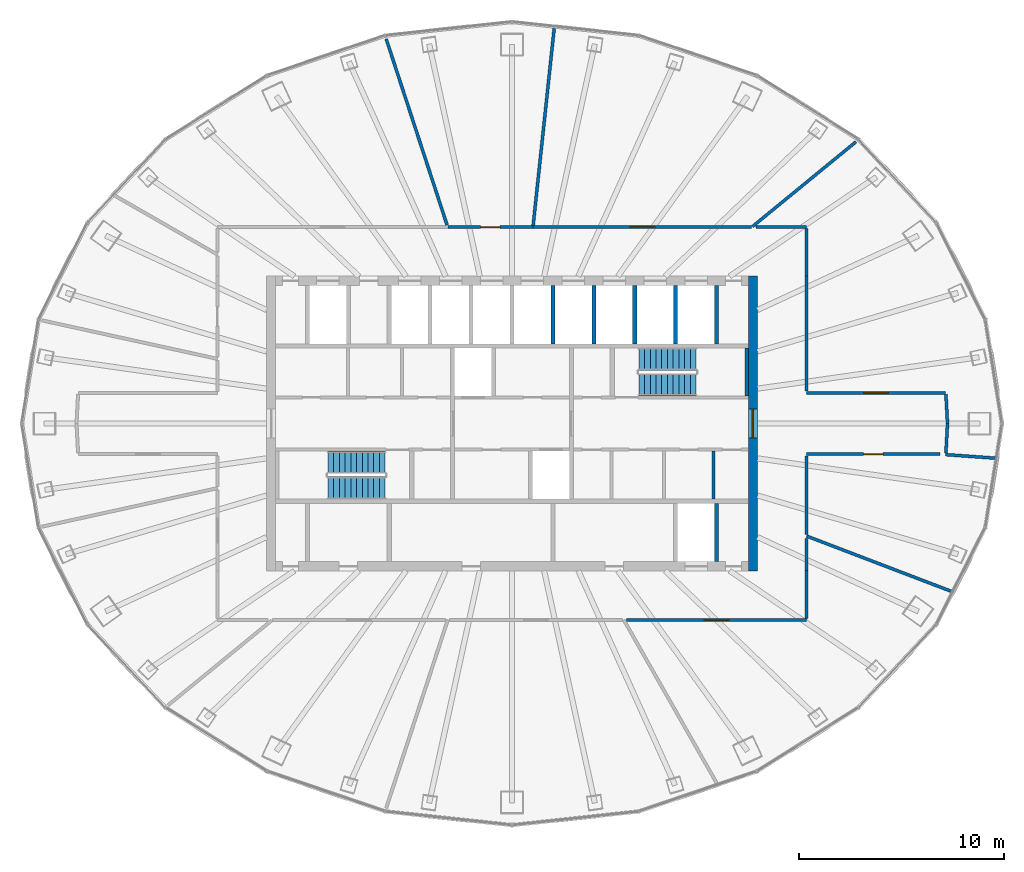
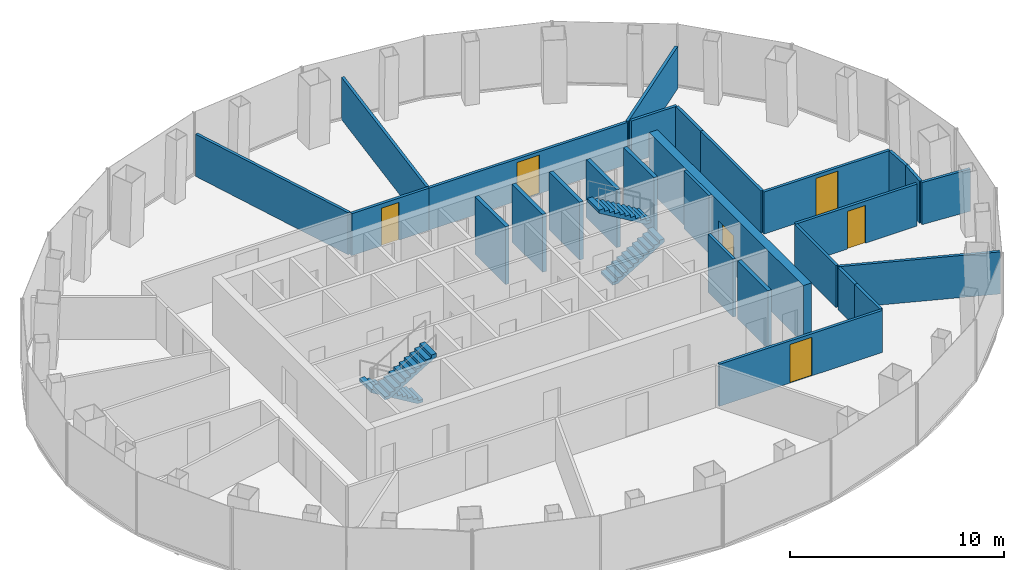
# One storey, part 9 of 10: 27 walls, 6 doors, 4 stair flights, 6 openings, 2 elements without a shape of their own.
"""IFC4 building model written with IfcOpenShell, lengths in metres."""

from ifc_helpers import new_model, si_unit, direction, frame, frame_2d, origin, place, context, subcontext, project, spatial, polyline, rectangle, outline, extrude, material, layer, layer_set, type_object, element, fill, aggregate, save


model = new_model("IFC4")

# Units and contexts
model_context = context("Model", 3, precision=1e-05, world=origin(), true_north=direction((0.0, 1.0)))
body_context = subcontext(model_context, "Body", "Model", "MODEL_VIEW")
ifc_project = project(units=[si_unit("LENGTHUNIT", "METRE"), si_unit("AREAUNIT", "SQUARE_METRE"), si_unit("VOLUMEUNIT", "CUBIC_METRE"), si_unit("PLANEANGLEUNIT", "RADIAN"), si_unit("MASSUNIT", "GRAM", prefix="KILO")], contexts=[model_context])

# Site, building, storey
site_placement = place(None, origin())
site = spatial("IfcSite", under=ifc_project, at=site_placement, CompositionType="ELEMENT")
building_placement = place(site_placement, origin())
building = spatial("IfcBuilding", under=site, at=building_placement, Name="Siaravel Broadcast Tower", CompositionType="ELEMENT")
storey_placement = place(building_placement, frame((0.0, 0.0, 160.800048828125)))
storey = spatial("IfcBuildingStorey", under=building, at=storey_placement, Name="L38", CompositionType="ELEMENT", Elevation=160.800048828125)

# Wall
ifc_material_1 = material(Name="Concrete blockwork", Category="masonry")
ifc_layer_1 = layer(ifc_material_1, 0.14990234375)
ifc_layer_set_1 = layer_set([ifc_layer_1], Name="Concrete blockwork")
wall_type_1 = type_object("IfcWallType", Name="Core partition 150", PredefinedType="PARTITIONING", material=ifc_layer_set_1)
wall_1_placement = place(storey_placement, frame((9.85498046875, -3.699951171875, 0.0), z_axis=(0.0, 0.0, 1.0), x_axis=(0.0, 1.0, 0.0)))
element("IfcWall", 1, at=wall_1_placement, inside=storey, type_object=wall_type_1, Name="L38 core partition PSE2", PredefinedType="PARTITIONING", context=body_context, shape_type="SweptSolid", body=[
    extrude(rectangle(XDim=2.349853515625, YDim=0.14990234375, at=frame_2d((1.1748046875, 0.0))), origin(), (0.0, 0.0, 1.0), 3.300048828125),
])

# Wall, opening, door
ifc_material_2 = material(Name="Concrete C60/75", Category="concrete")
ifc_layer_2 = layer(ifc_material_2, 0.449951171875)
ifc_layer_set_2 = layer_set([ifc_layer_2], Name="Concrete C60/75")
wall_type_2 = type_object("IfcWallType", Name="Core wall 450", PredefinedType="SHEAR", material=ifc_layer_set_2)
wall_2_placement = place(storey_placement, frame((11.77490234375, -7.199951171875, 0.0), z_axis=(0.0, 0.0, 1.0), x_axis=(0.0, 1.0, 0.0)))
wall_2 = element("IfcWall", 2, at=wall_2_placement, inside=storey, type_object=wall_type_2, Name="L38 core wall OE", PredefinedType="SHEAR", context=body_context, shape_type="SweptSolid", body=[
    extrude(rectangle(XDim=14.39990234375, YDim=0.449951171875, at=frame_2d((7.199951171875, 0.0))), origin(), (0.0, 0.0, 1.0), 3.300048828125),
])
opening_1_placement = place(wall_2_placement, frame((6.5, 0.0, 0.0)))
opening_1 = element("IfcOpeningElement", 3, at=opening_1_placement, cuts=wall_2, Name="Opening L38-DX-E", PredefinedType="OPENING", context=body_context, shape_type="SweptSolid", body=[
    extrude(rectangle(XDim=1.39990234375, YDim=2.199951171875, at=frame_2d((0.699951171875, 1.10009765625))), frame((0.0, 0.23486328125, 0.0), z_axis=(0.0, -1.0, 0.0), x_axis=(1.0, 0.0, 0.0)), (0.0, 0.0, 1.0), 0.469970703125),
])
ifc_material_3 = material(Name="Steel", Category="steel")
door_type_1 = type_object("IfcDoorType", Name="Core exit door 1400", OperationType="DOUBLE_DOOR_SINGLE_SWING", PredefinedType="DOOR", material=ifc_material_3)
door_1_placement = place(opening_1_placement, origin())
door_1 = element("IfcDoor", 4, at=door_1_placement, inside=storey, type_object=door_type_1, Name="L38 door DX-E", OperationType="DOUBLE_DOOR_SINGLE_SWING", OverallHeight=2.199951171875, OverallWidth=1.39990234375, PredefinedType="DOOR", context=body_context, shape_type="SweptSolid", body=[
    extrude(rectangle(XDim=1.39990234375, YDim=2.199951171875, at=frame_2d((0.699951171875, 1.10009765625))), frame((0.0, 0.02490234375, 0.0), z_axis=(0.0, -1.0, 0.0), x_axis=(1.0, 0.0, 0.0)), (0.0, 0.0, 1.0), 0.050048828125),
])
fill(opening_1, door_1)

ifc_material_4 = material(Name="Gypsum board partition", Category="gypsum")
ifc_layer_3 = layer(ifc_material_4, 0.14990234375)
ifc_layer_set_3 = layer_set([ifc_layer_3], Name="Gypsum board partition")
wall_type_3 = type_object("IfcWallType", Name="Corridor wall 150", PredefinedType="PARTITIONING", material=ifc_layer_set_3)
wall_3_placement = place(storey_placement, frame((11.719970703125, 9.60009765625, 0.0), z_axis=(0.0, 0.0, 1.0), x_axis=(-1.0, 0.0, 0.0)))
wall_3 = element("IfcWall", 5, at=wall_3_placement, inside=storey, type_object=wall_type_3, Name="L38 partition 2", PredefinedType="PARTITIONING", context=body_context, shape_type="SweptSolid", body=[
    extrude(rectangle(XDim=10.694580078125, YDim=0.14990234375, at=frame_2d((5.34716796875, 0.0))), origin(), (0.0, 0.0, 1.0), 2.39990234375),
])
opening_2_placement = place(wall_3_placement, frame((4.747314453125, 0.0, 0.0)))
opening_2 = element("IfcOpeningElement", 6, at=opening_2_placement, cuts=wall_3, Name="Opening L38-002", PredefinedType="OPENING", context=body_context, shape_type="SweptSolid", body=[
    extrude(rectangle(XDim=1.199951171875, YDim=2.199951171875, at=frame_2d((0.60009765625, 1.10009765625))), frame((0.0, 0.0849609375, 0.0), z_axis=(0.0, -1.0, 0.0), x_axis=(1.0, 0.0, 0.0)), (0.0, 0.0, 1.0), 0.169921875),
])
ifc_material_5 = material(Name="Timber veneer", Category="wood")
door_type_2 = type_object("IfcDoorType", Name="Office double door 1200", OperationType="DOUBLE_DOOR_SINGLE_SWING", PredefinedType="DOOR", material=ifc_material_5)
door_2_placement = place(opening_2_placement, origin())
door_2 = element("IfcDoor", 7, at=door_2_placement, inside=storey, type_object=door_type_2, Name="L38 door to Open plan office", OperationType="DOUBLE_DOOR_SINGLE_SWING", OverallHeight=2.199951171875, OverallWidth=1.199951171875, PredefinedType="DOOR", context=body_context, shape_type="SweptSolid", body=[
    extrude(rectangle(XDim=1.199951171875, YDim=2.199951171875, at=frame_2d((0.60009765625, 1.10009765625))), frame((0.0, 0.02490234375, 0.0), z_axis=(0.0, -1.0, 0.0), x_axis=(1.0, 0.0, 0.0)), (0.0, 0.0, 1.0), 0.050048828125),
])
fill(opening_2, door_2)

wall_4_placement = place(storey_placement, frame((5.59619140625, -9.60009765625, 0.0), z_axis=(0.0, 0.0, 1.0), x_axis=(1.0, 0.0, 0.0)))
wall_4 = element("IfcWall", 8, at=wall_4_placement, inside=storey, type_object=wall_type_3, Name="L38 partition 7", PredefinedType="PARTITIONING", context=body_context, shape_type="SweptSolid", body=[
    extrude(rectangle(XDim=8.8037109375, YDim=0.14990234375, at=frame_2d((4.40185546875, 0.0))), origin(), (0.0, 0.0, 1.0), 2.39990234375),
])
opening_3_placement = place(wall_4_placement, frame((3.802001953125, 0.0, 0.0)))
opening_3 = element("IfcOpeningElement", 9, at=opening_3_placement, cuts=wall_4, Name="Opening L38-010", PredefinedType="OPENING", context=body_context, shape_type="SweptSolid", body=[
    extrude(rectangle(XDim=1.199951171875, YDim=2.199951171875, at=frame_2d((0.60009765625, 1.10009765625))), frame((0.0, 0.0849609375, 0.0), z_axis=(0.0, -1.0, 0.0), x_axis=(1.0, 0.0, 0.0)), (0.0, 0.0, 1.0), 0.169921875),
])
door_3_placement = place(opening_3_placement, origin())
door_3 = element("IfcDoor", 10, at=door_3_placement, inside=storey, type_object=door_type_2, Name="L38 door to Open plan office", OperationType="DOUBLE_DOOR_SINGLE_SWING", OverallHeight=2.199951171875, OverallWidth=1.199951171875, PredefinedType="DOOR", context=body_context, shape_type="SweptSolid", body=[
    extrude(rectangle(XDim=1.199951171875, YDim=2.199951171875, at=frame_2d((0.60009765625, 1.10009765625))), frame((0.0, 0.02490234375, 0.0), z_axis=(0.0, -1.0, 0.0), x_axis=(1.0, 0.0, 0.0)), (0.0, 0.0, 1.0), 0.050048828125),
])
fill(opening_3, door_3)

wall_5_placement = place(storey_placement, frame((21.20166015625, 1.5, 0.0), z_axis=(0.0, 0.0, 1.0), x_axis=(-0.999999948, 0.000323148, 0.0)))
wall_5 = element("IfcWall", 11, at=wall_5_placement, inside=storey, type_object=wall_type_3, Name="L38 partition 15", PredefinedType="PARTITIONING", context=body_context, shape_type="SweptSolid", body=[
    extrude(rectangle(XDim=6.799560546875, YDim=0.14990234375, at=frame_2d((3.39990234375, 0.0))), origin(), (0.0, 0.0, 1.0), 2.39990234375),
])
opening_4_placement = place(wall_5_placement, frame((2.7998046875, 0.0, 0.0)))
opening_4 = element("IfcOpeningElement", 12, at=opening_4_placement, cuts=wall_5, Name="Opening L38-001", PredefinedType="OPENING", context=body_context, shape_type="SweptSolid", body=[
    extrude(rectangle(XDim=1.199951171875, YDim=2.199951171875, at=frame_2d((0.60009765625, 1.10009765625))), frame((0.0, 0.0849609375, 0.0), z_axis=(0.0, -1.0, 0.0), x_axis=(1.0, 0.0, 0.0)), (0.0, 0.0, 1.0), 0.169921875),
])
door_4_placement = place(opening_4_placement, origin())
door_4 = element("IfcDoor", 13, at=door_4_placement, inside=storey, type_object=door_type_2, Name="L38 door to Open plan office", OperationType="DOUBLE_DOOR_SINGLE_SWING", OverallHeight=2.199951171875, OverallWidth=1.199951171875, PredefinedType="DOOR", context=body_context, shape_type="SweptSolid", body=[
    extrude(rectangle(XDim=1.199951171875, YDim=2.199951171875, at=frame_2d((0.60009765625, 1.10009765625))), frame((0.0, 0.02490234375, 0.0), z_axis=(0.0, -1.0, 0.0), x_axis=(1.0, 0.0, 0.0)), (0.0, 0.0, 1.0), 0.050048828125),
])
fill(opening_4, door_4)

wall_6_placement = place(storey_placement, frame((14.39990234375, -1.5, 0.0), z_axis=(0.0, 0.0, 1.0), x_axis=(1.0, 0.0, 0.0)))
wall_6 = element("IfcWall", 14, at=wall_6_placement, inside=storey, type_object=wall_type_3, Name="L38 partition 18", PredefinedType="PARTITIONING", context=body_context, shape_type="SweptSolid", body=[
    extrude(rectangle(XDim=6.531982421875, YDim=0.14990234375, at=frame_2d((3.26611328125, 0.0))), origin(), (0.0, 0.0, 1.0), 2.39990234375),
])
opening_5_placement = place(wall_6_placement, frame((2.791015625, 0.0, 0.0)))
opening_5 = element("IfcOpeningElement", 15, at=opening_5_placement, cuts=wall_6, Name="Opening L38-011", PredefinedType="OPENING", context=body_context, shape_type="SweptSolid", body=[
    extrude(rectangle(XDim=0.949951171875, YDim=2.14990234375, at=frame_2d((0.47509765625, 1.074951171875))), frame((0.0, 0.0849609375, 0.0), z_axis=(0.0, -1.0, 0.0), x_axis=(1.0, 0.0, 0.0)), (0.0, 0.0, 1.0), 0.169921875),
])
door_type_3 = type_object("IfcDoorType", Name="Office door 950", OperationType="SINGLE_SWING_LEFT", PredefinedType="DOOR", material=ifc_material_5)
door_5_placement = place(opening_5_placement, origin())
door_5 = element("IfcDoor", 16, at=door_5_placement, inside=storey, type_object=door_type_3, Name="L38 door to Office", OperationType="SINGLE_SWING_LEFT", OverallHeight=2.14990234375, OverallWidth=0.949951171875, PredefinedType="DOOR", context=body_context, shape_type="SweptSolid", body=[
    extrude(rectangle(XDim=0.949951171875, YDim=2.14990234375, at=frame_2d((0.47509765625, 1.074951171875))), frame((0.0, 0.02490234375, 0.0), z_axis=(0.0, -1.0, 0.0), x_axis=(1.0, 0.0, 0.0)), (0.0, 0.0, 1.0), 0.050048828125),
])
fill(opening_5, door_5)

# Wall
wall_7_placement = place(storey_placement, frame((14.402099609375, 1.5791015625, 0.0), z_axis=(0.0, 0.0, 1.0), x_axis=(0.0, 1.0, 0.0)))
element("IfcWall", 17, at=wall_7_placement, inside=storey, type_object=wall_type_3, Name="L38 partition 20", PredefinedType="PARTITIONING", context=body_context, shape_type="SweptSolid", body=[
    extrude(rectangle(XDim=5.6328125, YDim=0.14990234375, at=frame_2d((2.81640625, 0.0))), origin(), (0.0, 0.0, 1.0), 2.39990234375),
])

# Wall, opening, door
wall_8_placement = place(storey_placement, frame((1.025390625, 9.60009765625, 0.0), z_axis=(0.0, 0.0, 1.0), x_axis=(-1.0, 0.0, 0.0)))
wall_8 = element("IfcWall", 18, at=wall_8_placement, inside=storey, type_object=wall_type_3, Name="L38 partition 21", PredefinedType="PARTITIONING", context=body_context, shape_type="SweptSolid", body=[
    extrude(rectangle(XDim=4.164794921875, YDim=0.14990234375, at=frame_2d((2.08251953125, 0.0))), origin(), (0.0, 0.0, 1.0), 2.39990234375),
])
opening_6_placement = place(wall_8_placement, frame((1.607421875, 0.0, 0.0)))
opening_6 = element("IfcOpeningElement", 19, at=opening_6_placement, cuts=wall_8, Name="Opening L38-003", PredefinedType="OPENING", context=body_context, shape_type="SweptSolid", body=[
    extrude(rectangle(XDim=0.949951171875, YDim=2.14990234375, at=frame_2d((0.47509765625, 1.074951171875))), frame((0.0, 0.0849609375, 0.0), z_axis=(0.0, -1.0, 0.0), x_axis=(1.0, 0.0, 0.0)), (0.0, 0.0, 1.0), 0.169921875),
])
door_6_placement = place(opening_6_placement, origin())
door_6 = element("IfcDoor", 20, at=door_6_placement, inside=storey, type_object=door_type_3, Name="L38 door to Reception", OperationType="SINGLE_SWING_LEFT", OverallHeight=2.14990234375, OverallWidth=0.949951171875, PredefinedType="DOOR", context=body_context, shape_type="SweptSolid", body=[
    extrude(rectangle(XDim=0.949951171875, YDim=2.14990234375, at=frame_2d((0.47509765625, 1.074951171875))), frame((0.0, 0.02490234375, 0.0), z_axis=(0.0, -1.0, 0.0), x_axis=(1.0, 0.0, 0.0)), (0.0, 0.0, 1.0), 0.050048828125),
])
fill(opening_6, door_6)

# Walls
wall_9_placement = place(storey_placement, frame((14.39990234375, -5.42822265625, 0.0), z_axis=(0.0, 0.0, 1.0), x_axis=(0.0, 1.0, 0.0)))
element("IfcWall", 21, at=wall_9_placement, inside=storey, type_object=wall_type_3, Name="L38 partition 24", PredefinedType="PARTITIONING", context=body_context, shape_type="SweptSolid", body=[
    extrude(rectangle(XDim=3.851318359375, YDim=0.14990234375, at=frame_2d((1.92578125, 0.0))), origin(), (0.0, 0.0, 1.0), 2.39990234375),
])
wall_10_placement = place(storey_placement, frame((14.402099609375, 9.60205078125, 0.0), z_axis=(0.0, 0.0, 1.0), x_axis=(-1.0, 0.0, 0.0)))
element("IfcWall", 22, at=wall_10_placement, inside=storey, type_object=wall_type_3, Name="L38 partition 26", PredefinedType="PARTITIONING", context=body_context, shape_type="SweptSolid", body=[
    extrude(rectangle(XDim=2.4677734375, YDim=0.14990234375, at=frame_2d((1.23388671875, 0.0))), origin(), (0.0, 0.0, 1.0), 2.39990234375),
])
wall_11_placement = place(storey_placement, frame((14.402099609375, 7.212890625, 0.0), z_axis=(0.0, 0.0, 1.0), x_axis=(0.0, 1.0, 0.0)))
element("IfcWall", 23, at=wall_11_placement, inside=storey, type_object=wall_type_3, Name="L38 partition 28", PredefinedType="PARTITIONING", context=body_context, shape_type="SweptSolid", body=[
    extrude(rectangle(XDim=2.31201171875, YDim=0.14990234375, at=frame_2d((1.156005859375, 0.0))), origin(), (0.0, 0.0, 1.0), 2.39990234375),
])
wall_12_placement = place(storey_placement, frame((14.39990234375, -9.52294921875, 0.0), z_axis=(0.0, 0.0, 1.0), x_axis=(0.0, 1.0, 0.0)))
element("IfcWall", 24, at=wall_12_placement, inside=storey, type_object=wall_type_3, Name="L38 partition 30", PredefinedType="PARTITIONING", context=body_context, shape_type="SweptSolid", body=[
    extrude(rectangle(XDim=2.3349609375, YDim=0.14990234375, at=frame_2d((1.16748046875, 0.0))), origin(), (0.0, 0.0, 1.0), 2.39990234375),
])
wall_13_placement = place(storey_placement, frame((14.39990234375, -7.18701171875, 0.0), z_axis=(0.0, 0.0, 1.0), x_axis=(0.0, 1.0, 0.0)))
element("IfcWall", 25, at=wall_13_placement, inside=storey, type_object=wall_type_3, Name="L38 partition 31", PredefinedType="PARTITIONING", context=body_context, shape_type="SweptSolid", body=[
    extrude(rectangle(XDim=1.575927734375, YDim=0.14990234375, at=frame_2d((0.7880859375, 0.0))), origin(), (0.0, 0.0, 1.0), 2.39990234375),
])
wall_14_placement = place(storey_placement, frame((21.21240234375, -1.442626953125, 0.0), z_axis=(0.0, 0.0, 1.0), x_axis=(0.053232927, 0.998582123, 0.0)))
element("IfcWall", 26, at=wall_14_placement, inside=storey, type_object=wall_type_3, Name="L38 partition 34", PredefinedType="PARTITIONING", context=body_context, shape_type="SweptSolid", body=[
    extrude(rectangle(XDim=1.444580078125, YDim=0.14990234375, at=frame_2d((0.72216796875, 0.0))), origin(), (0.0, 0.0, 1.0), 2.39990234375),
])
wall_15_placement = place(storey_placement, frame((21.288818359375, 0.010009765625, 0.0), z_axis=(0.0, 0.0, 1.0), x_axis=(-0.053271351, 0.998580073, 0.0)))
element("IfcWall", 27, at=wall_15_placement, inside=storey, type_object=wall_type_3, Name="L38 partition 37", PredefinedType="PARTITIONING", context=body_context, shape_type="SweptSolid", body=[
    extrude(rectangle(XDim=1.420654296875, YDim=0.14990234375, at=frame_2d((0.71044921875, 0.0))), origin(), (0.0, 0.0, 1.0), 2.39990234375),
])
ifc_layer_4 = layer(ifc_material_4, 0.14990234375)
ifc_layer_set_4 = layer_set([ifc_layer_4], Name="Gypsum board partition")
wall_type_4 = type_object("IfcWallType", Name="Room partition 150", PredefinedType="PARTITIONING", material=ifc_layer_set_4)
wall_16_placement = place(storey_placement, frame((2.0712890625, 19.393310546875, 0.0), z_axis=(0.0, 0.0, 1.0), x_axis=(-0.106198491, -0.99434495, 0.0)))
element("IfcWall", 28, at=wall_16_placement, inside=storey, type_object=wall_type_4, Name="L38 partition 3", PredefinedType="PARTITIONING", context=body_context, shape_type="SweptSolid", body=[
    extrude(rectangle(XDim=9.763427734375, YDim=0.14990234375, at=frame_2d((4.8818359375, 0.0))), origin(), (0.0, 0.0, 1.0), 2.39990234375),
])
wall_17_placement = place(storey_placement, frame((-6.151611328125, 18.8056640625, 0.0), z_axis=(0.0, 0.0, 1.0), x_axis=(0.310901784, -0.950442045, 0.0)))
element("IfcWall", 29, at=wall_17_placement, inside=storey, type_object=wall_type_4, Name="L38 partition 4", PredefinedType="PARTITIONING", context=body_context, shape_type="SweptSolid", body=[
    extrude(rectangle(XDim=9.580322265625, YDim=0.14990234375, at=frame_2d((4.7900390625, 0.0))), origin(), (0.0, 0.0, 1.0), 2.39990234375),
])
wall_18_placement = place(storey_placement, frame((21.559814453125, -8.235107421875, 0.0), z_axis=(0.0, 0.0, 1.0), x_axis=(-0.93417148, 0.356824391, 0.0)))
element("IfcWall", 30, at=wall_18_placement, inside=storey, type_object=wall_type_4, Name="L38 partition 12", PredefinedType="PARTITIONING", context=body_context, shape_type="SweptSolid", body=[
    extrude(rectangle(XDim=7.66455078125, YDim=0.14990234375, at=frame_2d((3.832275390625, 0.0))), origin(), (0.0, 0.0, 1.0), 2.39990234375),
])
wall_19_placement = place(storey_placement, frame((16.8134765625, 13.772216796875, 0.0), z_axis=(0.0, 0.0, 1.0), x_axis=(-0.773595956, -0.633679175, 0.0)))
element("IfcWall", 31, at=wall_19_placement, inside=storey, type_object=wall_type_4, Name="L38 partition 17", PredefinedType="PARTITIONING", context=body_context, shape_type="SweptSolid", body=[
    extrude(rectangle(XDim=6.53466796875, YDim=0.14990234375, at=frame_2d((3.267333984375, 0.0))), origin(), (0.0, 0.0, 1.0), 2.39990234375),
])
wall_20_placement = place(storey_placement, frame((21.1962890625, -1.51904296875, 0.0), z_axis=(0.0, 0.0, 1.0), x_axis=(0.997445362, -0.071433532, 0.0)))
element("IfcWall", 32, at=wall_20_placement, inside=storey, type_object=wall_type_4, Name="L38 partition 27", PredefinedType="PARTITIONING", context=body_context, shape_type="SweptSolid", body=[
    extrude(rectangle(XDim=2.511962890625, YDim=0.14990234375, at=frame_2d((1.255859375, 0.0))), origin(), (0.0, 0.0, 1.0), 2.39990234375),
])
ifc_layer_5 = layer(ifc_material_2, 0.14990234375)
ifc_layer_set_5 = layer_set([ifc_layer_5], Name="Concrete C60/75")
wall_type_5 = type_object("IfcWallType", Name="Shaft wall 150", PredefinedType="SHEAR", material=ifc_layer_set_5)
wall_21_placement = place(storey_placement, frame((11.47509765625, 1.35009765625, 0.0), z_axis=(0.0, 0.0, 1.0), x_axis=(0.0, 1.0, 0.0)))
element("IfcWall", 33, at=wall_21_placement, inside=storey, type_object=wall_type_5, Name="L38 core wall ST2E", PredefinedType="SHEAR", context=body_context, shape_type="SweptSolid", body=[
    extrude(rectangle(XDim=2.349853515625, YDim=0.14990234375, at=frame_2d((1.1748046875, 0.0))), origin(), (0.0, 0.0, 1.0), 3.300048828125),
])
ifc_layer_6 = layer(ifc_material_2, 0.199951171875)
ifc_layer_set_6 = layer_set([ifc_layer_6], Name="Concrete C60/75")
wall_type_6 = type_object("IfcWallType", Name="Shaft wall 200", PredefinedType="SHEAR", material=ifc_layer_set_6)
for number, where, z_axis, x_axis, name in (
    (34, (10.0, -6.75, 0.0), (0.0, 0.0, 1.0), (0.0, 1.0, 0.0), "L38 core wall SWS10"),
    (35, (2.0, 3.89990234375, 0.0), (0.0, 0.0, 1.0), (0.0, 1.0, 0.0), "L38 core wall SWN6"),
    (36, (4.0, 3.89990234375, 0.0), (0.0, 0.0, 1.0), (0.0, 1.0, 0.0), "L38 core wall SWN7"),
    (37, (6.0, 3.89990234375, 0.0), (0.0, 0.0, 1.0), (0.0, 1.0, 0.0), "L38 core wall SWN8"),
    (38, (8.0, 3.89990234375, 0.0), (0.0, 0.0, 1.0), (0.0, 1.0, 0.0), "L38 core wall SWN9"),
    (39, (10.0, 3.89990234375, 0.0), (0.0, 0.0, 1.0), (0.0, 1.0, 0.0), "L38 core wall SWN10"),
):
    element("IfcWall", number, at=place(storey_placement, frame(where, z_axis=z_axis, x_axis=x_axis)), inside=storey, type_object=wall_type_6, Name=name, PredefinedType="SHEAR", context=body_context, shape_type="SweptSolid", body=[
        extrude(rectangle(XDim=2.85009765625, YDim=0.199951171875, at=frame_2d((1.425048828125, 0.0))), origin(), (0.0, 0.0, 1.0), 3.300048828125),
    ])

# Stair, stair flights
ifc_material_6 = material(Name="Concrete C40/50", Category="concrete")
stair_type = type_object("IfcStairType", Name="Core exit stair", PredefinedType="HALF_TURN_STAIR", material=ifc_material_6)
stair_1_placement = place(storey_placement, origin())
stair_1 = element("IfcStair", 40, at=stair_1_placement, inside=storey, type_object=stair_type, Name="L38 Exit stair ST-1", PredefinedType="HALF_TURN_STAIR")
stair_flight_type = type_object("IfcStairFlightType", Name="Stair flight 1100", PredefinedType="STRAIGHT", material=ifc_material_6)
stair_flight_1_placement = place(storey_placement, frame((-6.199951171875, -1.89990234375, 0.0), z_axis=(0.0, 0.0, 1.0), x_axis=(-1.0, 0.0, 0.0)))
stair_flight_1 = element("IfcStairFlight", 41, at=stair_flight_1_placement, type_object=stair_flight_type, Name="ST-1 flight 1", NumberOfRisers=11, NumberOfTreads=10, PredefinedType="STRAIGHT", RiserHeight=0.1681818, TreadLength=0.28, context=body_context, shape_type="SweptSolid", body=[
    extrude(outline(polyline([(0.0, 0.0), (0.0, 0.168212890625), (0.280029296875, 0.168212890625), (0.280029296875, 0.33642578125), (0.56005859375, 0.33642578125), (0.56005859375, 0.504638671875), (0.840087890625, 0.504638671875), (0.840087890625, 0.672607421875), (1.1201171875, 0.672607421875), (1.1201171875, 0.8408203125), (1.39990234375, 0.8408203125), (1.39990234375, 1.009033203125), (1.679931640625, 1.009033203125), (1.679931640625, 1.17724609375), (1.9599609375, 1.17724609375), (1.9599609375, 1.345458984375), (2.239990234375, 1.345458984375), (2.239990234375, 1.513671875), (2.52001953125, 1.513671875), (2.52001953125, 1.681884765625), (2.800048828125, 1.681884765625), (2.800048828125, 1.85009765625), (2.800048828125, 1.5068359375), (0.291015625, 0.0), (0.0, 0.0)])), frame((0.0, 0.550048828125, 0.0), z_axis=(0.0, -1.0, 0.0), x_axis=(1.0, 0.0, 0.0)), (0.0, 0.0, 1.0), 1.10009765625),
])
stair_flight_2_placement = place(storey_placement, frame((-9.0, -3.14990234375, 1.849853515625), z_axis=(0.0, 0.0, 1.0), x_axis=(1.0, 0.0, 0.0)))
stair_flight_2 = element("IfcStairFlight", 42, at=stair_flight_2_placement, type_object=stair_flight_type, Name="ST-1 flight 2", NumberOfRisers=11, NumberOfTreads=10, PredefinedType="STRAIGHT", RiserHeight=0.1681818, TreadLength=0.28, context=body_context, shape_type="SweptSolid", body=[
    extrude(outline(polyline([(0.0, 0.0), (0.0, 0.168212890625), (0.280029296875, 0.168212890625), (0.280029296875, 0.33642578125), (0.56005859375, 0.33642578125), (0.56005859375, 0.504638671875), (0.840087890625, 0.504638671875), (0.840087890625, 0.672607421875), (1.1201171875, 0.672607421875), (1.1201171875, 0.8408203125), (1.39990234375, 0.8408203125), (1.39990234375, 1.009033203125), (1.679931640625, 1.009033203125), (1.679931640625, 1.17724609375), (1.9599609375, 1.17724609375), (1.9599609375, 1.345458984375), (2.239990234375, 1.345458984375), (2.239990234375, 1.513671875), (2.52001953125, 1.513671875), (2.52001953125, 1.681884765625), (2.800048828125, 1.681884765625), (2.800048828125, 1.85009765625), (2.800048828125, 1.5068359375), (0.291015625, 0.0), (0.0, 0.0)])), frame((0.0, 0.550048828125, 0.0), z_axis=(0.0, -1.0, 0.0), x_axis=(1.0, 0.0, 0.0)), (0.0, 0.0, 1.0), 1.10009765625),
])
aggregate(stair_1, [stair_flight_1, stair_flight_2])

stair_2_placement = place(storey_placement, origin())
stair_2 = element("IfcStair", 43, at=stair_2_placement, inside=storey, type_object=stair_type, Name="L38 Exit stair ST-2", PredefinedType="HALF_TURN_STAIR")
stair_flight_3_placement = place(storey_placement, frame((6.199951171875, 1.89990234375, 0.0), z_axis=(0.0, 0.0, 1.0), x_axis=(1.0, 0.0, 0.0)))
stair_flight_3 = element("IfcStairFlight", 44, at=stair_flight_3_placement, type_object=stair_flight_type, Name="ST-2 flight 1", NumberOfRisers=11, NumberOfTreads=10, PredefinedType="STRAIGHT", RiserHeight=0.1681818, TreadLength=0.28, context=body_context, shape_type="SweptSolid", body=[
    extrude(outline(polyline([(0.0, 0.0), (0.0, 0.168212890625), (0.280029296875, 0.168212890625), (0.280029296875, 0.33642578125), (0.56005859375, 0.33642578125), (0.56005859375, 0.504638671875), (0.840087890625, 0.504638671875), (0.840087890625, 0.672607421875), (1.1201171875, 0.672607421875), (1.1201171875, 0.8408203125), (1.39990234375, 0.8408203125), (1.39990234375, 1.009033203125), (1.679931640625, 1.009033203125), (1.679931640625, 1.17724609375), (1.9599609375, 1.17724609375), (1.9599609375, 1.345458984375), (2.239990234375, 1.345458984375), (2.239990234375, 1.513671875), (2.52001953125, 1.513671875), (2.52001953125, 1.681884765625), (2.800048828125, 1.681884765625), (2.800048828125, 1.85009765625), (2.800048828125, 1.5068359375), (0.291015625, 0.0), (0.0, 0.0)])), frame((0.0, 0.550048828125, 0.0), z_axis=(0.0, -1.0, 0.0), x_axis=(1.0, 0.0, 0.0)), (0.0, 0.0, 1.0), 1.10009765625),
])
stair_flight_4_placement = place(storey_placement, frame((9.0, 3.14990234375, 1.849853515625), z_axis=(0.0, 0.0, 1.0), x_axis=(-1.0, 0.0, 0.0)))
stair_flight_4 = element("IfcStairFlight", 45, at=stair_flight_4_placement, type_object=stair_flight_type, Name="ST-2 flight 2", NumberOfRisers=11, NumberOfTreads=10, PredefinedType="STRAIGHT", RiserHeight=0.1681818, TreadLength=0.28, context=body_context, shape_type="SweptSolid", body=[
    extrude(outline(polyline([(0.0, 0.0), (0.0, 0.168212890625), (0.280029296875, 0.168212890625), (0.280029296875, 0.33642578125), (0.56005859375, 0.33642578125), (0.56005859375, 0.504638671875), (0.840087890625, 0.504638671875), (0.840087890625, 0.672607421875), (1.1201171875, 0.672607421875), (1.1201171875, 0.8408203125), (1.39990234375, 0.8408203125), (1.39990234375, 1.009033203125), (1.679931640625, 1.009033203125), (1.679931640625, 1.17724609375), (1.9599609375, 1.17724609375), (1.9599609375, 1.345458984375), (2.239990234375, 1.345458984375), (2.239990234375, 1.513671875), (2.52001953125, 1.513671875), (2.52001953125, 1.681884765625), (2.800048828125, 1.681884765625), (2.800048828125, 1.85009765625), (2.800048828125, 1.5068359375), (0.291015625, 0.0), (0.0, 0.0)])), frame((0.0, 0.550048828125, 0.0), z_axis=(0.0, -1.0, 0.0), x_axis=(1.0, 0.0, 0.0)), (0.0, 0.0, 1.0), 1.10009765625),
])
aggregate(stair_2, [stair_flight_3, stair_flight_4])

save(model, "model.ifc")
